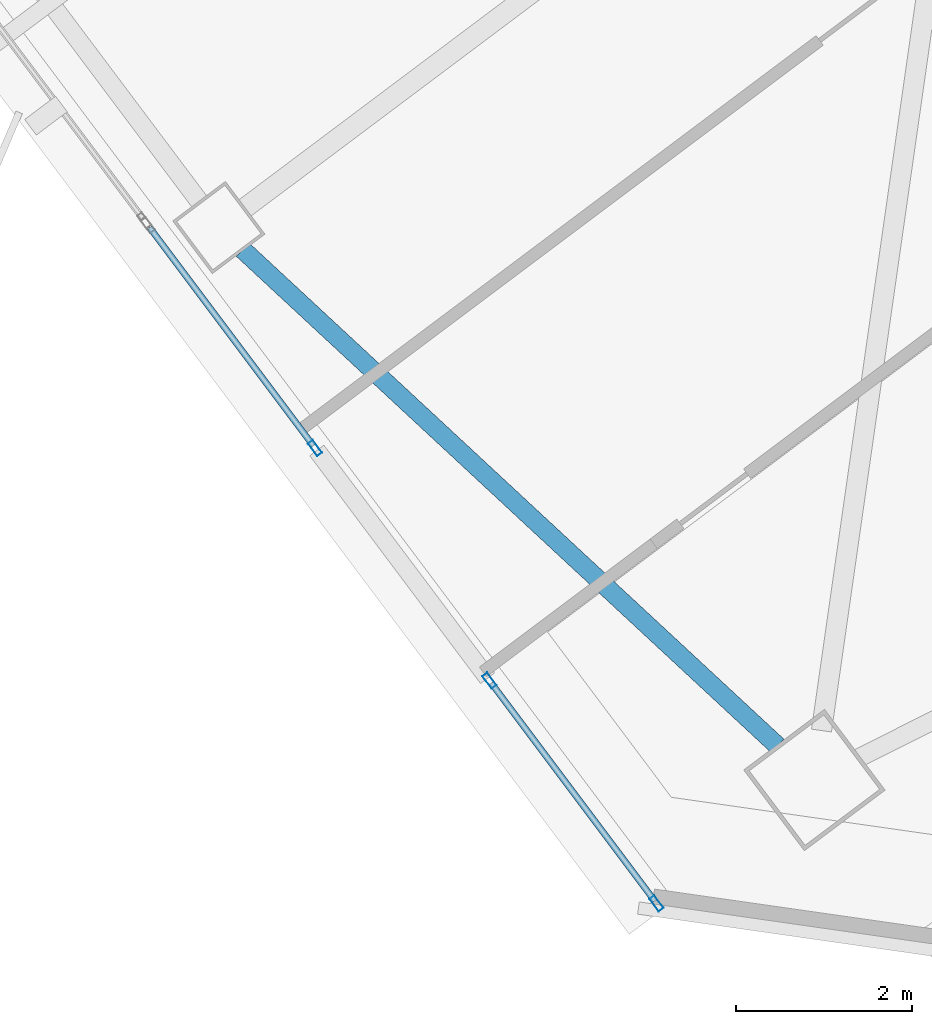
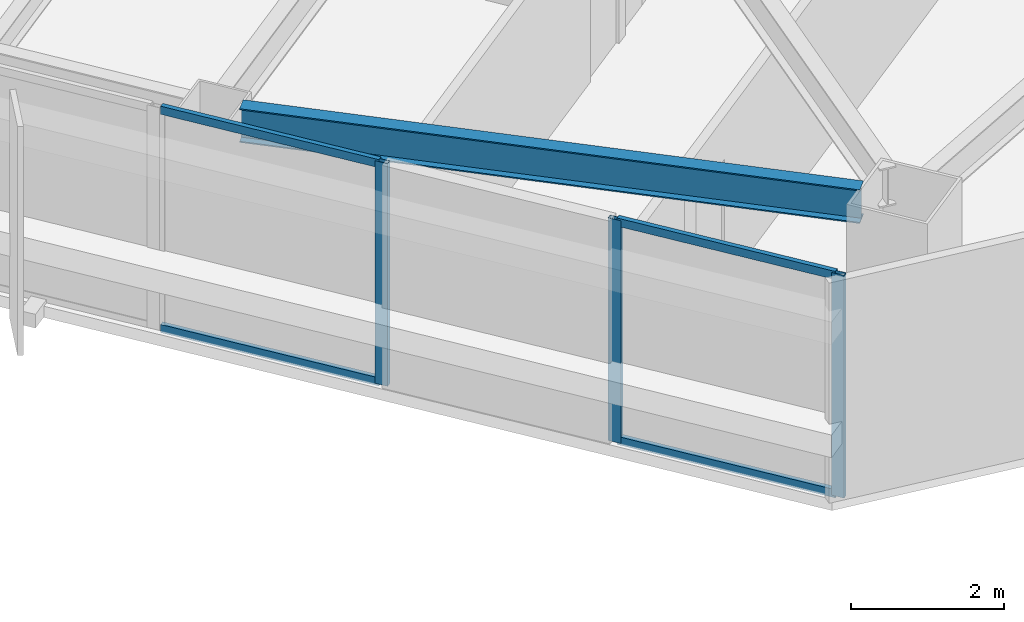
# One storey, part 19 of 46: 7 members, 1 beam, 2 elements without a shape of their own.
"""IFC4 building model written with IfcOpenShell, lengths in metres."""

from ifc_helpers import new_model, si_unit, direction, frame, origin, origin_2d, place, context, subcontext, project, spatial, hollow_rectangle, i_section, extrude, material, material_profile, profile_set, type_object, element, aggregate, save


model = new_model("IFC4")

# Units and contexts
model_context = context("Model", 3, precision=1e-05, world=origin(), true_north=direction((0.0, 1.0)))
body_context = subcontext(model_context, "Body", "Model", "MODEL_VIEW")
ifc_project = project(units=[si_unit("LENGTHUNIT", "METRE"), si_unit("AREAUNIT", "SQUARE_METRE"), si_unit("VOLUMEUNIT", "CUBIC_METRE"), si_unit("PLANEANGLEUNIT", "RADIAN"), si_unit("MASSUNIT", "GRAM", prefix="KILO")], contexts=[model_context])

# Site, building, storey
site_placement = place(None, origin())
site = spatial("IfcSite", under=ifc_project, at=site_placement, CompositionType="ELEMENT")
building_placement = place(site_placement, origin())
building = spatial("IfcBuilding", under=site, at=building_placement, Name="Tashvorn Skyway Center", CompositionType="ELEMENT")
storey_placement = place(building_placement, frame((0.0, 0.0, 167.64990234375)))
storey = spatial("IfcBuildingStorey", under=building, at=storey_placement, Name="L45", CompositionType="ELEMENT", Elevation=167.64990234375)

# Beam
ifc_material_1 = material(Name="Steel ASTM A992 Grade 50", Category="steel")
ifc_material_profile_1 = material_profile(ifc_material_1, i_section(OverallWidth=0.2109375, OverallDepth=0.5390625, WebThickness=0.01171875, FlangeThickness=0.018798828125, at=origin_2d()), Name="W21X73")
ifc_profile_set_1 = profile_set([ifc_material_profile_1], Name="Steel ASTM A992 Grade 50")
beam_type = type_object("IfcBeamType", Name="BM-SPANDREL-W21X73", PredefinedType="SPANDREL", material=ifc_profile_set_1)
beam_placement = place(storey_placement, frame((104.59130859375, 17.73828125, 3.1005859375), z_axis=(0.733101115618, -0.680119661736, 0.0), x_axis=(0.680119661736, 0.733101115618, 0.0)))
element("IfcBeam", 1, at=beam_placement, inside=storey, type_object=beam_type, Name="Tower 2 L45 Spandrel Beam 12", PredefinedType="SPANDREL", context=body_context, shape_type="SweptSolid", body=[
    extrude(i_section(OverallWidth=0.2109375, OverallDepth=0.5390625, WebThickness=0.01171875, FlangeThickness=0.018798828125, at=origin_2d()), origin(), (0.0, 0.0, 1.0), 8.308349609375),
])

# Curtain wall, members
ifc_material_2 = material(Name="Thermally broken bronze-anodized aluminium 6063-T6", Category="aluminium")
curtain_wall_type = type_object("IfcCurtainWallType", Name="CW-CW-Z4", PredefinedType="NOTDEFINED", material=ifc_material_2)
curtain_wall_1_placement = place(storey_placement, origin())
curtain_wall_1 = element("IfcCurtainWall", 2, at=curtain_wall_1_placement, inside=storey, type_object=curtain_wall_type, Name="Tower 2 L45 West Unitised Curtain Wall Glazing Group 1", PredefinedType="NOTDEFINED")
ifc_material_profile_2 = material_profile(ifc_material_2, hollow_rectangle(XDim=0.070068359375, YDim=0.179931640625, WallThickness=0.00390625, at=origin_2d()), Name="ALU-MULL-70x180")
ifc_profile_set_2 = profile_set([ifc_material_profile_2], Name="Thermally broken bronze-anodized aluminium 6063-T6")
member_type_1 = type_object("IfcMemberType", Name="CWM-CW-Z4", PredefinedType="MULLION", material=ifc_profile_set_2)
member_1_placement = place(storey_placement, frame((109.302978515625, 10.2958984375, 0.0), z_axis=(0.0, 0.0, 1.0), x_axis=(-0.799999999998, -0.600000000002, 0.0)))
member_1 = element("IfcMember", 3, at=member_1_placement, type_object=member_type_1, Name="CW-Z4 mullion 1", PredefinedType="MULLION", context=body_context, shape_type="SweptSolid", body=[
    extrude(hollow_rectangle(XDim=0.070068359375, YDim=0.179931640625, WallThickness=0.00390625, at=origin_2d()), origin(), (0.0, 0.0, 1.0), 3.550048828125),
])
member_2_placement = place(storey_placement, frame((107.40087890625, 12.83203125, 0.0), z_axis=(0.0, 0.0, 1.0), x_axis=(-0.799999999998, -0.600000000002, 0.0)))
member_2 = element("IfcMember", 4, at=member_2_placement, type_object=member_type_1, Name="CW-Z4 mullion 2", PredefinedType="MULLION", context=body_context, shape_type="SweptSolid", body=[
    extrude(hollow_rectangle(XDim=0.070068359375, YDim=0.179931640625, WallThickness=0.00390625, at=origin_2d()), origin(), (0.0, 0.0, 1.0), 3.550048828125),
])

# Curtain wall, member
curtain_wall_2_placement = place(storey_placement, origin())
curtain_wall_2 = element("IfcCurtainWall", 5, at=curtain_wall_2_placement, inside=storey, type_object=curtain_wall_type, Name="Tower 2 L45 West Unitised Curtain Wall Glazing Group 2", PredefinedType="NOTDEFINED")
member_3_placement = place(storey_placement, frame((105.4150390625, 15.47998046875, 0.0), z_axis=(0.0, 0.0, 1.0), x_axis=(-0.799999999998, -0.600000000002, 0.0)))
member_3 = element("IfcMember", 6, at=member_3_placement, type_object=member_type_1, Name="CW-Z4 mullion 1", PredefinedType="MULLION", context=body_context, shape_type="SweptSolid", body=[
    extrude(hollow_rectangle(XDim=0.070068359375, YDim=0.179931640625, WallThickness=0.00390625, at=origin_2d()), origin(), (0.0, 0.0, 1.0), 3.550048828125),
])

# Member
ifc_material_profile_3 = material_profile(ifc_material_2, hollow_rectangle(XDim=0.070068359375, YDim=0.1298828125, WallThickness=0.00390625, at=origin_2d()), Name="ALU-TRAN-70x130")
ifc_profile_set_3 = profile_set([ifc_material_profile_3], Name="Thermally broken bronze-anodized aluminium 6063-T6")
member_type_2 = type_object("IfcMemberType", Name="CWT-CW-Z4", PredefinedType="USERDEFINED", material=ifc_profile_set_3)
member_4_placement = place(storey_placement, frame((109.281982421875, 10.323974609375, 0.03515625), z_axis=(-0.599974797295, 0.800018901408, 0.0), x_axis=(-0.800018901408, -0.599974797295, 0.0)))
member_4 = element("IfcMember", 7, at=member_4_placement, type_object=member_type_2, Name="CW-Z4 transom 1.1", ObjectType="TRANSOM", PredefinedType="USERDEFINED", context=body_context, shape_type="SweptSolid", body=[
    extrude(hollow_rectangle(XDim=0.070068359375, YDim=0.1298828125, WallThickness=0.00390625, at=origin_2d()), origin(), (0.0, 0.0, 1.0), 3.099853515625),
])

member_5_placement = place(storey_placement, frame((109.281982421875, 10.323974609375, 3.51513671875), z_axis=(-0.599974797295, 0.800018901408, 0.0), x_axis=(-0.800018901408, -0.599974797295, 0.0)))
member_5 = element("IfcMember", 8, at=member_5_placement, type_object=member_type_2, Name="CW-Z4 transom 1.2", ObjectType="TRANSOM", PredefinedType="USERDEFINED", context=body_context, shape_type="SweptSolid", body=[
    extrude(hollow_rectangle(XDim=0.070068359375, YDim=0.1298828125, WallThickness=0.00390625, at=origin_2d()), origin(), (0.0, 0.0, 1.0), 3.099853515625),
])

aggregate(curtain_wall_1, [member_1, member_2, member_4, member_5])

member_6_placement = place(storey_placement, frame((105.39404296875, 15.508056640625, 0.03515625), z_axis=(-0.600025200918, 0.799981098691, 0.0), x_axis=(-0.799981098691, -0.600025200918, 0.0)))
member_6 = element("IfcMember", 9, at=member_6_placement, type_object=member_type_2, Name="CW-Z4 transom 1.1", ObjectType="TRANSOM", PredefinedType="USERDEFINED", context=body_context, shape_type="SweptSolid", body=[
    extrude(hollow_rectangle(XDim=0.070068359375, YDim=0.1298828125, WallThickness=0.00390625, at=origin_2d()), origin(), (0.0, 0.0, 1.0), 3.10009765625),
])

member_7_placement = place(storey_placement, frame((105.39404296875, 15.508056640625, 3.51513671875), z_axis=(-0.600025200918, 0.799981098691, 0.0), x_axis=(-0.799981098691, -0.600025200918, 0.0)))
member_7 = element("IfcMember", 10, at=member_7_placement, type_object=member_type_2, Name="CW-Z4 transom 1.2", ObjectType="TRANSOM", PredefinedType="USERDEFINED", context=body_context, shape_type="SweptSolid", body=[
    extrude(hollow_rectangle(XDim=0.070068359375, YDim=0.1298828125, WallThickness=0.00390625, at=origin_2d()), origin(), (0.0, 0.0, 1.0), 3.10009765625),
])

aggregate(curtain_wall_2, [member_3, member_6, member_7])

save(model, "model.ifc")
